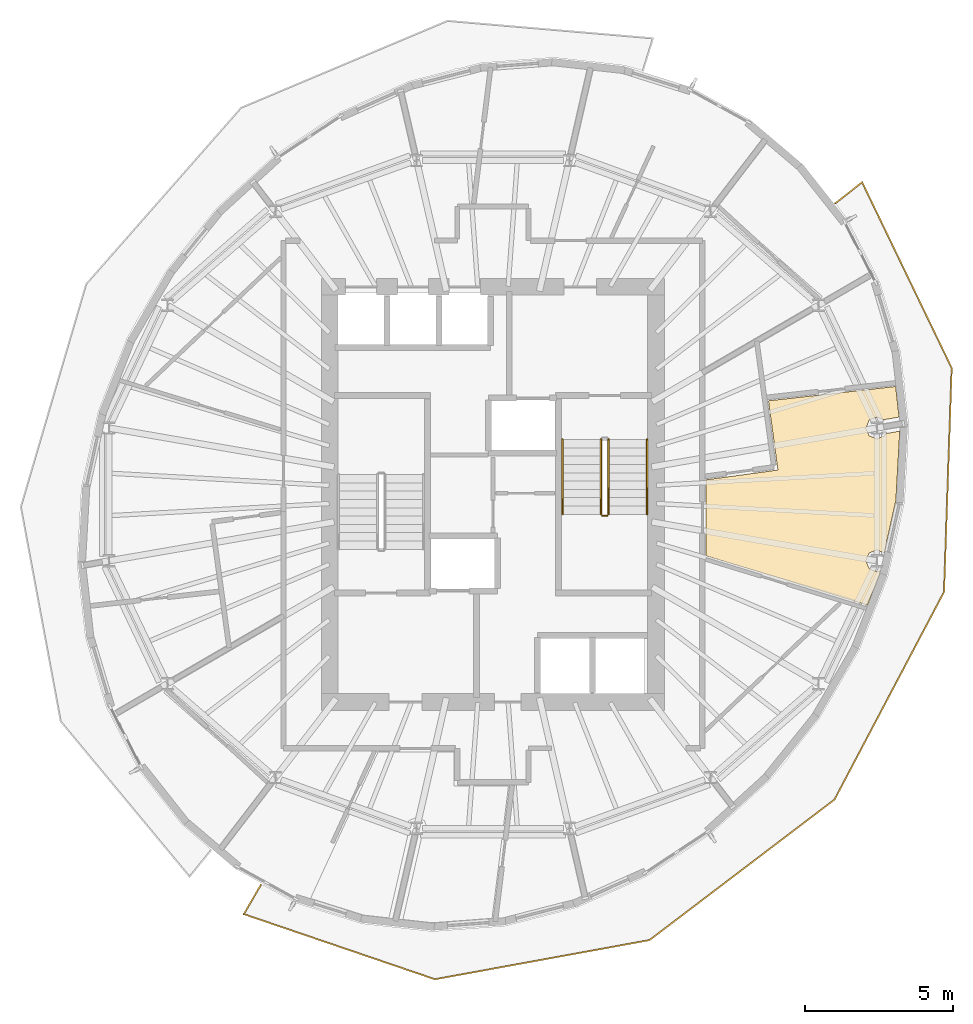
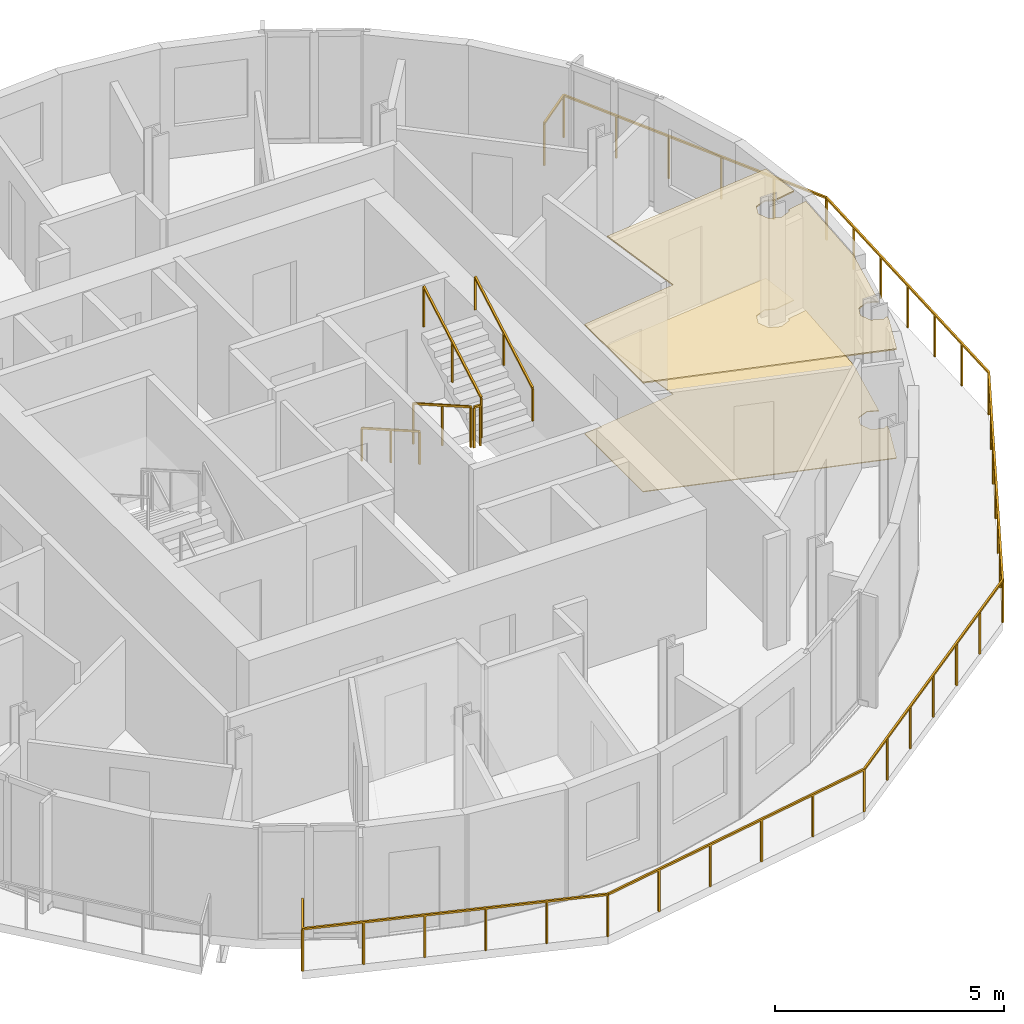
# One storey, part 9 of 11: 6 railings, 2 coverings.
"""IFC4 building model written with IfcOpenShell, lengths in metres."""

from ifc_helpers import new_model, si_unit, direction, frame, origin, origin_2d, place, context, subcontext, project, spatial, polyline, rectangle, outline, extrude, material, layer, layer_set, type_object, element, save


model = new_model("IFC4")

# Units and contexts
model_context = context("Model", 3, precision=1e-05, world=origin(), true_north=direction((0.0, 1.0)))
body_context = subcontext(model_context, "Body", "Model", "MODEL_VIEW")
ifc_project = project(units=[si_unit("LENGTHUNIT", "METRE"), si_unit("AREAUNIT", "SQUARE_METRE"), si_unit("VOLUMEUNIT", "CUBIC_METRE"), si_unit("PLANEANGLEUNIT", "RADIAN"), si_unit("MASSUNIT", "GRAM", prefix="KILO")], contexts=[model_context])

# Site, building, storey
site_placement = place(None, origin())
site = spatial("IfcSite", under=ifc_project, at=site_placement, CompositionType="ELEMENT")
building_placement = place(site_placement, origin())
building = spatial("IfcBuilding", under=site, at=building_placement, Name="Veldorim Arch Residences", CompositionType="ELEMENT")
storey_placement = place(building_placement, frame((0.0, 0.0, 220.639892578125)))
storey = spatial("IfcBuildingStorey", under=building, at=storey_placement, Name="L66", CompositionType="ELEMENT", Elevation=220.639892578125)

# Railings
ifc_material_1 = material(Name="Aluminium", Category="aluminium")
railing_type_1 = type_object("IfcRailingType", Name="Balcony & Terrace Laminated Glass Balustrade 1150", PredefinedType="BALUSTRADE", material=ifc_material_1)
railing_1_placement = place(storey_placement, frame((24.1767578125, 10.8408203125, 0.0)))
element("IfcRailing", 1, at=railing_1_placement, inside=storey, type_object=railing_type_1, Name="L66 crescent balcony safety balustrade B", PredefinedType="BALUSTRADE", context=body_context, shape_type="SweptSolid", body=[
    extrude(rectangle(XDim=0.048095703125, YDim=0.048095703125, at=origin_2d()), frame((0.0, 0.0, 1.1259765625), z_axis=(-0.502391622868, -0.864640189484, 0.0), x_axis=(0.864640189484, -0.502391622868, 0.0)), (0.0, 0.0, 1.0), 1.149658203125),
    extrude(rectangle(XDim=0.048095703125, YDim=0.048095703125, at=origin_2d()), frame((-0.57763671875, -0.994140625, 1.1259765625), z_axis=(0.946524622517, -0.322631583961, 0.0), x_axis=(0.322631583961, 0.946524622517, 0.0)), (0.0, 0.0, 1.0), 6.808837890625),
    extrude(rectangle(XDim=0.048095703125, YDim=0.048095703125, at=origin_2d()), frame((5.8671875, -3.19091796875, 1.1259765625), z_axis=(0.983745959896, 0.179565827452, 0.0), x_axis=(-0.179565827452, 0.983745959896, 0.0)), (0.0, 0.0, 1.0), 7.35693359375),
    extrude(rectangle(XDim=0.048095703125, YDim=0.048095703125, at=origin_2d()), frame((13.1044921875, -1.869873046875, 1.1259765625), z_axis=(0.796345377287, 0.604842161289, 0.0), x_axis=(-0.604842161289, 0.796345377287, 0.0)), (0.0, 0.0, 1.0), 7.83154296875),
    extrude(rectangle(XDim=0.048095703125, YDim=0.048095703125, at=origin_2d()), frame((19.341064453125, 2.866943359375, 1.1259765625), z_axis=(0.466603888338, 0.884466399242, 0.0), x_axis=(-0.884466399242, 0.466603888338, 0.0)), (0.0, 0.0, 1.0), 7.919189453125),
    extrude(rectangle(XDim=0.048095703125, YDim=0.048095703125, at=origin_2d()), frame((23.0361328125, 9.87109375, 1.1259765625), z_axis=(0.034155106442, 0.999416544142, 0.0), x_axis=(-0.999416544142, 0.034155106442, 0.0)), (0.0, 0.0, 1.0), 7.555419921875),
    extrude(rectangle(XDim=0.048095703125, YDim=0.048095703125, at=origin_2d()), frame((23.294189453125, 17.422119140625, 1.1259765625), z_axis=(-0.434350544358, 0.900743917335, 0.0), x_axis=(-0.900743917335, -0.434350544358, 0.0)), (0.0, 0.0, 1.0), 6.956298828125),
    extrude(rectangle(XDim=0.048095703125, YDim=0.048095703125, at=origin_2d()), frame((20.272705078125, 23.68798828125, 1.1259765625), z_axis=(-0.78550730875, -0.618852379732, 0.0), x_axis=(0.618852379732, -0.78550730875, 0.0)), (0.0, 0.0, 1.0), 1.14990234375),
    extrude(rectangle(XDim=0.0419921875, YDim=0.0419921875, at=origin_2d()), origin(), (0.0, 0.0, 1.0), 1.101806640625),
    extrude(rectangle(XDim=0.0419921875, YDim=0.0419921875, at=origin_2d()), frame((-0.57763671875, -0.994140625, 0.0)), (0.0, 0.0, 1.0), 1.101806640625),
    extrude(rectangle(XDim=0.0419921875, YDim=0.0419921875, at=origin_2d()), frame((0.71142578125, -1.43359375, 0.0)), (0.0, 0.0, 1.0), 1.101806640625),
    extrude(rectangle(XDim=0.0419921875, YDim=0.0419921875, at=origin_2d()), frame((2.000244140625, -1.872802734375, 0.0)), (0.0, 0.0, 1.0), 1.101806640625),
    extrude(rectangle(XDim=0.0419921875, YDim=0.0419921875, at=origin_2d()), frame((3.289306640625, -2.312255859375, 0.0)), (0.0, 0.0, 1.0), 1.101806640625),
    extrude(rectangle(XDim=0.0419921875, YDim=0.0419921875, at=origin_2d()), frame((4.578125, -2.75146484375, 0.0)), (0.0, 0.0, 1.0), 1.101806640625),
    extrude(rectangle(XDim=0.0419921875, YDim=0.0419921875, at=origin_2d()), frame((5.8671875, -3.19091796875, 0.0)), (0.0, 0.0, 1.0), 1.101806640625),
    extrude(rectangle(XDim=0.0419921875, YDim=0.0419921875, at=origin_2d()), frame((7.314697265625, -2.9267578125, 0.0)), (0.0, 0.0, 1.0), 1.101806640625),
    extrude(rectangle(XDim=0.0419921875, YDim=0.0419921875, at=origin_2d()), frame((8.76220703125, -2.66259765625, 0.0)), (0.0, 0.0, 1.0), 1.101806640625),
    extrude(rectangle(XDim=0.0419921875, YDim=0.0419921875, at=origin_2d()), frame((10.20947265625, -2.398193359375, 0.0)), (0.0, 0.0, 1.0), 1.101806640625),
    extrude(rectangle(XDim=0.0419921875, YDim=0.0419921875, at=origin_2d()), frame((11.656982421875, -2.134033203125, 0.0)), (0.0, 0.0, 1.0), 1.101806640625),
    extrude(rectangle(XDim=0.0419921875, YDim=0.0419921875, at=origin_2d()), frame((13.1044921875, -1.869873046875, 0.0)), (0.0, 0.0, 1.0), 1.101806640625),
    extrude(rectangle(XDim=0.0419921875, YDim=0.0419921875, at=origin_2d()), frame((14.14404296875, -1.080322265625, 0.0)), (0.0, 0.0, 1.0), 1.101806640625),
    extrude(rectangle(XDim=0.0419921875, YDim=0.0419921875, at=origin_2d()), frame((15.183349609375, -0.291015625, 0.0)), (0.0, 0.0, 1.0), 1.101806640625),
    extrude(rectangle(XDim=0.0419921875, YDim=0.0419921875, at=origin_2d()), frame((16.22265625, 0.49853515625, 0.0)), (0.0, 0.0, 1.0), 1.101806640625),
    extrude(rectangle(XDim=0.0419921875, YDim=0.0419921875, at=origin_2d()), frame((17.26220703125, 1.2880859375, 0.0)), (0.0, 0.0, 1.0), 1.101806640625),
    extrude(rectangle(XDim=0.0419921875, YDim=0.0419921875, at=origin_2d()), frame((18.3017578125, 2.077392578125, 0.0)), (0.0, 0.0, 1.0), 1.101806640625),
    extrude(rectangle(XDim=0.0419921875, YDim=0.0419921875, at=origin_2d()), frame((19.341064453125, 2.866943359375, 0.0)), (0.0, 0.0, 1.0), 1.101806640625),
    extrude(rectangle(XDim=0.0419921875, YDim=0.0419921875, at=origin_2d()), frame((19.95703125, 4.0341796875, 0.0)), (0.0, 0.0, 1.0), 1.101806640625),
    extrude(rectangle(XDim=0.0419921875, YDim=0.0419921875, at=origin_2d()), frame((20.57275390625, 5.20166015625, 0.0)), (0.0, 0.0, 1.0), 1.101806640625),
    extrude(rectangle(XDim=0.0419921875, YDim=0.0419921875, at=origin_2d()), frame((21.1884765625, 6.369140625, 0.0)), (0.0, 0.0, 1.0), 1.101806640625),
    extrude(rectangle(XDim=0.0419921875, YDim=0.0419921875, at=origin_2d()), frame((21.804443359375, 7.536376953125, 0.0)), (0.0, 0.0, 1.0), 1.101806640625),
    extrude(rectangle(XDim=0.0419921875, YDim=0.0419921875, at=origin_2d()), frame((22.42041015625, 8.70361328125, 0.0)), (0.0, 0.0, 1.0), 1.101806640625),
    extrude(rectangle(XDim=0.0419921875, YDim=0.0419921875, at=origin_2d()), frame((23.0361328125, 9.87109375, 0.0)), (0.0, 0.0, 1.0), 1.101806640625),
    extrude(rectangle(XDim=0.0419921875, YDim=0.0419921875, at=origin_2d()), frame((23.0791015625, 11.129638671875, 0.0)), (0.0, 0.0, 1.0), 1.101806640625),
    extrude(rectangle(XDim=0.0419921875, YDim=0.0419921875, at=origin_2d()), frame((23.1220703125, 12.38818359375, 0.0)), (0.0, 0.0, 1.0), 1.101806640625),
    extrude(rectangle(XDim=0.0419921875, YDim=0.0419921875, at=origin_2d()), frame((23.1650390625, 13.646484375, 0.0)), (0.0, 0.0, 1.0), 1.101806640625),
    extrude(rectangle(XDim=0.0419921875, YDim=0.0419921875, at=origin_2d()), frame((23.208251953125, 14.905029296875, 0.0)), (0.0, 0.0, 1.0), 1.101806640625),
    extrude(rectangle(XDim=0.0419921875, YDim=0.0419921875, at=origin_2d()), frame((23.251220703125, 16.16357421875, 0.0)), (0.0, 0.0, 1.0), 1.101806640625),
    extrude(rectangle(XDim=0.0419921875, YDim=0.0419921875, at=origin_2d()), frame((23.294189453125, 17.422119140625, 0.0)), (0.0, 0.0, 1.0), 1.101806640625),
    extrude(rectangle(XDim=0.0419921875, YDim=0.0419921875, at=origin_2d()), frame((22.68994140625, 18.67529296875, 0.0)), (0.0, 0.0, 1.0), 1.101806640625),
    extrude(rectangle(XDim=0.0419921875, YDim=0.0419921875, at=origin_2d()), frame((22.085693359375, 19.928466796875, 0.0)), (0.0, 0.0, 1.0), 1.101806640625),
    extrude(rectangle(XDim=0.0419921875, YDim=0.0419921875, at=origin_2d()), frame((21.481201171875, 21.181640625, 0.0)), (0.0, 0.0, 1.0), 1.101806640625),
    extrude(rectangle(XDim=0.0419921875, YDim=0.0419921875, at=origin_2d()), frame((20.876953125, 22.434814453125, 0.0)), (0.0, 0.0, 1.0), 1.101806640625),
    extrude(rectangle(XDim=0.0419921875, YDim=0.0419921875, at=origin_2d()), frame((20.272705078125, 23.68798828125, 0.0)), (0.0, 0.0, 1.0), 1.101806640625),
    extrude(rectangle(XDim=0.0419921875, YDim=0.0419921875, at=origin_2d()), frame((19.369384765625, 22.976318359375, 0.0)), (0.0, 0.0, 1.0), 1.101806640625),
])
ifc_material_2 = material(Name="Steel S355", Category="steel")
railing_type_2 = type_object("IfcRailingType", Name="Galvanised Steel Stair Safety Guardrail 1100", PredefinedType="GUARDRAIL", material=ifc_material_2)
railing_2_placement = place(storey_placement, frame((35.639892578125, 25.85009765625, 0.16015625)))
element("IfcRailing", 2, at=railing_2_placement, inside=storey, type_object=railing_type_2, Name="L66 ST-2 stair guard 1", PredefinedType="GUARDRAIL", context=body_context, shape_type="SweptSolid", body=[
    extrude(rectangle(XDim=0.048095703125, YDim=0.048095703125, at=origin_2d()), frame((0.0, 0.0, 1.076171875), z_axis=(0.0, -0.868253494771, 0.496120820787), x_axis=(1.0, 0.0, 0.0)), (0.0, 0.0, 1.0), 2.90234375),
    extrude(rectangle(XDim=0.0419921875, YDim=0.0419921875, at=origin_2d()), origin(), (0.0, 0.0, 1.0), 1.052001953125),
    extrude(rectangle(XDim=0.0419921875, YDim=0.0419921875, at=origin_2d()), frame((0.0, -1.260009765625, 0.719970703125)), (0.0, 0.0, 1.0), 1.052001953125),
    extrude(rectangle(XDim=0.0419921875, YDim=0.0419921875, at=origin_2d()), frame((0.0, -2.52001953125, 1.43994140625)), (0.0, 0.0, 1.0), 1.052001953125),
])
railing_3_placement = place(storey_placement, frame((35.68994140625, 23.280029296875, 1.60009765625)))
element("IfcRailing", 3, at=railing_3_placement, inside=storey, type_object=railing_type_2, Name="L66 ST-2 stair guard 2", PredefinedType="GUARDRAIL", context=body_context, shape_type="SweptSolid", body=[
    extrude(rectangle(XDim=0.048095703125, YDim=0.048095703125, at=origin_2d()), frame((0.0, 0.0, 1.076171875), z_axis=(1.0, 0.0, 0.0), x_axis=(0.0, 1.0, 0.0)), (0.0, 0.0, 1.0), 0.16015625),
    extrude(rectangle(XDim=0.0419921875, YDim=0.0419921875, at=origin_2d()), origin(), (0.0, 0.0, 1.0), 1.052001953125),
    extrude(rectangle(XDim=0.0419921875, YDim=0.0419921875, at=origin_2d()), frame((0.16015625, 0.0, 0.0)), (0.0, 0.0, 1.0), 1.052001953125),
])
railing_4_placement = place(storey_placement, frame((35.89990234375, 23.330078125, 1.760009765625)))
element("IfcRailing", 4, at=railing_4_placement, inside=storey, type_object=railing_type_2, Name="L66 ST-2 stair guard 3", PredefinedType="GUARDRAIL", context=body_context, shape_type="SweptSolid", body=[
    extrude(rectangle(XDim=0.048095703125, YDim=0.048095703125, at=origin_2d()), frame((0.0, 0.0, 1.076171875), z_axis=(0.0, 0.868217259934, 0.496184229447), x_axis=(-1.0, 0.0, 0.0)), (0.0, 0.0, 1.0), 2.902587890625),
    extrude(rectangle(XDim=0.0419921875, YDim=0.0419921875, at=origin_2d()), origin(), (0.0, 0.0, 1.0), 1.052001953125),
    extrude(rectangle(XDim=0.0419921875, YDim=0.0419921875, at=origin_2d()), frame((0.0, 1.260009765625, 0.72021484375)), (0.0, 0.0, 1.0), 1.052001953125),
    extrude(rectangle(XDim=0.0419921875, YDim=0.0419921875, at=origin_2d()), frame((0.0, 2.52001953125, 1.440185546875)), (0.0, 0.0, 1.0), 1.052001953125),
])

# Coverings
ifc_material_3 = material(Name="Acoustic Gypsum & Mineral Fibre", Category="gypsum")
ifc_layer_1 = layer(ifc_material_3, 0.034912109375, Name="Perforated Acoustic Mineral-Fibre Ceiling 35")
ifc_layer_set_1 = layer_set([ifc_layer_1], Name="Acoustic Gypsum & Mineral Fibre")
covering_type_1 = type_object("IfcCoveringType", Name="Perforated Acoustic Mineral-Fibre Ceiling 35", PredefinedType="CEILING", material=ifc_layer_set_1)
covering_1_placement = place(storey_placement, frame((0.0, 0.0, 2.905029296875)))
element("IfcCovering", 5, at=covering_1_placement, inside=storey, type_object=covering_type_1, Name="L66 acoustic suspended ceiling 02", PredefinedType="CEILING", context=body_context, shape_type="SweptSolid", body=[
    extrude(outline(polyline([(45.031005859375, 21.291015625), (44.629150390625, 20.26806640625), (39.179931640625, 21.9326171875), (39.179931640625, 24.49169921875), (41.6103515625, 24.8232421875), (41.291748046875, 27.156982421875), (45.578857421875, 27.63916015625), (45.6953125, 26.60791015625), (45.1689453125, 26.516845703125), (44.9462890625, 26.60888671875), (44.685302734375, 26.500732421875), (44.576904296875, 26.239501953125), (44.685302734375, 25.978515625), (44.9462890625, 25.8701171875), (45.20751953125, 25.978515625), (45.23779296875, 26.05126953125), (45.71826171875, 26.134521484375), (45.586669921875, 23.80029296875), (45.194091796875, 22.027099609375), (44.9462890625, 22.1298828125), (44.685302734375, 22.021484375), (44.576904296875, 21.760498046875), (44.685302734375, 21.499267578125), (44.9462890625, 21.39111328125), (45.063720703125, 21.439697265625), (45.031005859375, 21.291015625)])), origin(), (0.0, 0.0, 1.0), 0.03515625),
])
ifc_material_4 = material(Name="Porcelain Ceramic Tile", Category="ceramic")
ifc_layer_2 = layer(ifc_material_4, 0.02001953125, Name="Slip-Resistant Porcelain & Vinyl Floor Finish 20")
ifc_layer_set_2 = layer_set([ifc_layer_2], Name="Porcelain Ceramic Tile")
covering_type_2 = type_object("IfcCoveringType", Name="Slip-Resistant Porcelain & Vinyl Floor Finish 20", PredefinedType="FLOORING", material=ifc_layer_set_2)
covering_2_placement = place(storey_placement, origin())
element("IfcCovering", 6, at=covering_2_placement, inside=storey, type_object=covering_type_2, Name="L66 porcelain floor finish 02", PredefinedType="FLOORING", context=body_context, shape_type="SweptSolid", body=[
    extrude(outline(polyline([(45.031005859375, 21.291015625), (44.629150390625, 20.26806640625), (39.179931640625, 21.9326171875), (39.179931640625, 24.49169921875), (41.6103515625, 24.8232421875), (41.291748046875, 27.156982421875), (45.578857421875, 27.63916015625), (45.6953125, 26.60791015625), (45.1689453125, 26.516845703125), (44.9462890625, 26.60888671875), (44.685302734375, 26.500732421875), (44.576904296875, 26.239501953125), (44.685302734375, 25.978515625), (44.9462890625, 25.8701171875), (45.20751953125, 25.978515625), (45.23779296875, 26.05126953125), (45.71826171875, 26.134521484375), (45.586669921875, 23.80029296875), (45.194091796875, 22.027099609375), (44.9462890625, 22.1298828125), (44.685302734375, 22.021484375), (44.576904296875, 21.760498046875), (44.685302734375, 21.499267578125), (44.9462890625, 21.39111328125), (45.063720703125, 21.439697265625), (45.031005859375, 21.291015625)])), origin(), (0.0, 0.0, 1.0), 0.02001953125),
])

# Railings
ifc_material_5 = material(Name="Stainless Steel", Category="steel")
railing_type_3 = type_object("IfcRailingType", Name="Tubular Steel Continuous Wall Handrail 900", PredefinedType="HANDRAIL", material=ifc_material_5)
railing_5_placement = place(storey_placement, frame((34.340087890625, 25.85009765625, 0.16015625)))
element("IfcRailing", 7, at=railing_5_placement, inside=storey, type_object=railing_type_3, Name="L66 ST-2 stair handrail 1", PredefinedType="HANDRAIL", context=body_context, shape_type="SweptSolid", body=[
    extrude(rectangle(XDim=0.048095703125, YDim=0.048095703125, at=origin_2d()), frame((0.0, 0.0, 0.8759765625), z_axis=(0.0, -0.868253494771, 0.496120820787), x_axis=(1.0, 0.0, 0.0)), (0.0, 0.0, 1.0), 2.90234375),
    extrude(rectangle(XDim=0.0419921875, YDim=0.0419921875, at=origin_2d()), origin(), (0.0, 0.0, 1.0), 0.851806640625),
    extrude(rectangle(XDim=0.0419921875, YDim=0.0419921875, at=origin_2d()), frame((0.0, -1.260009765625, 0.719970703125)), (0.0, 0.0, 1.0), 0.851806640625),
    extrude(rectangle(XDim=0.0419921875, YDim=0.0419921875, at=origin_2d()), frame((0.0, -2.52001953125, 1.43994140625)), (0.0, 0.0, 1.0), 0.851806640625),
])
railing_6_placement = place(storey_placement, frame((37.199951171875, 23.330078125, 1.760009765625)))
element("IfcRailing", 8, at=railing_6_placement, inside=storey, type_object=railing_type_3, Name="L66 ST-2 stair handrail 2", PredefinedType="HANDRAIL", context=body_context, shape_type="SweptSolid", body=[
    extrude(rectangle(XDim=0.048095703125, YDim=0.048095703125, at=origin_2d()), frame((0.0, 0.0, 0.8759765625), z_axis=(0.0, 0.868217259934, 0.496184229447), x_axis=(-1.0, 0.0, 0.0)), (0.0, 0.0, 1.0), 2.902587890625),
    extrude(rectangle(XDim=0.0419921875, YDim=0.0419921875, at=origin_2d()), origin(), (0.0, 0.0, 1.0), 0.851806640625),
    extrude(rectangle(XDim=0.0419921875, YDim=0.0419921875, at=origin_2d()), frame((0.0, 1.260009765625, 0.72021484375)), (0.0, 0.0, 1.0), 0.851806640625),
    extrude(rectangle(XDim=0.0419921875, YDim=0.0419921875, at=origin_2d()), frame((0.0, 2.52001953125, 1.440185546875)), (0.0, 0.0, 1.0), 0.851806640625),
])

save(model, "model.ifc")
